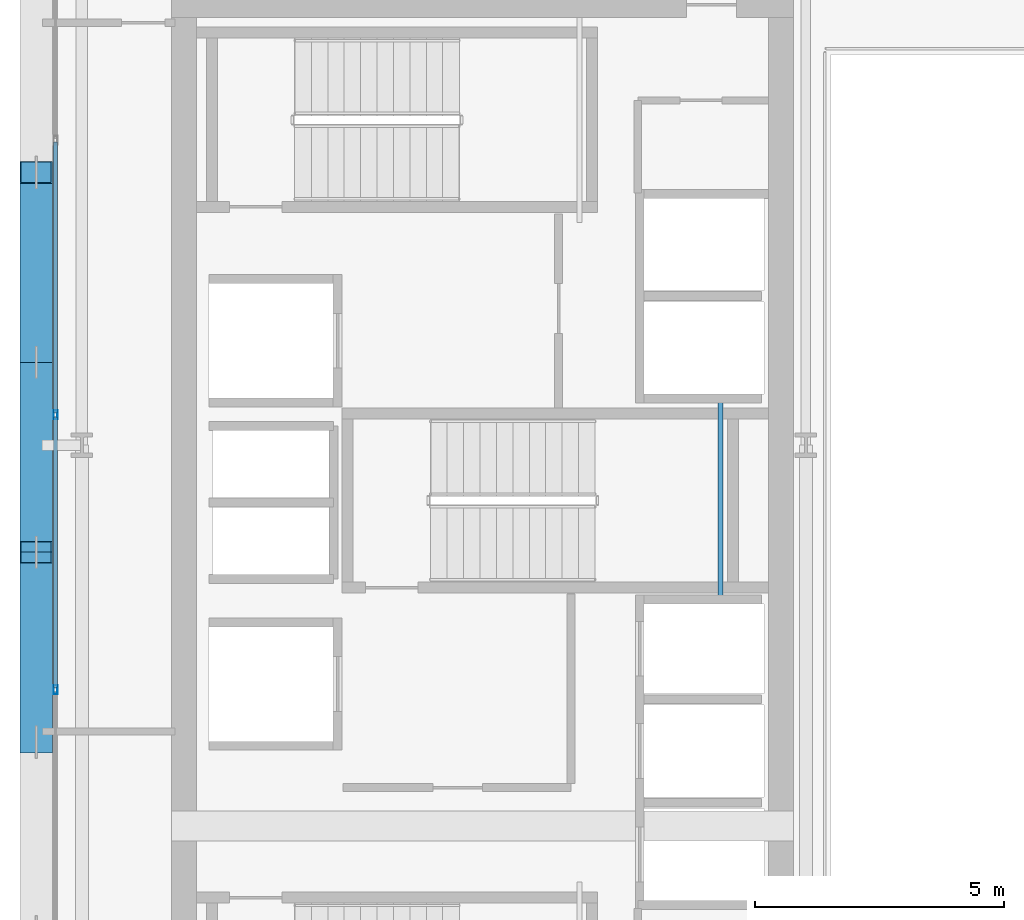
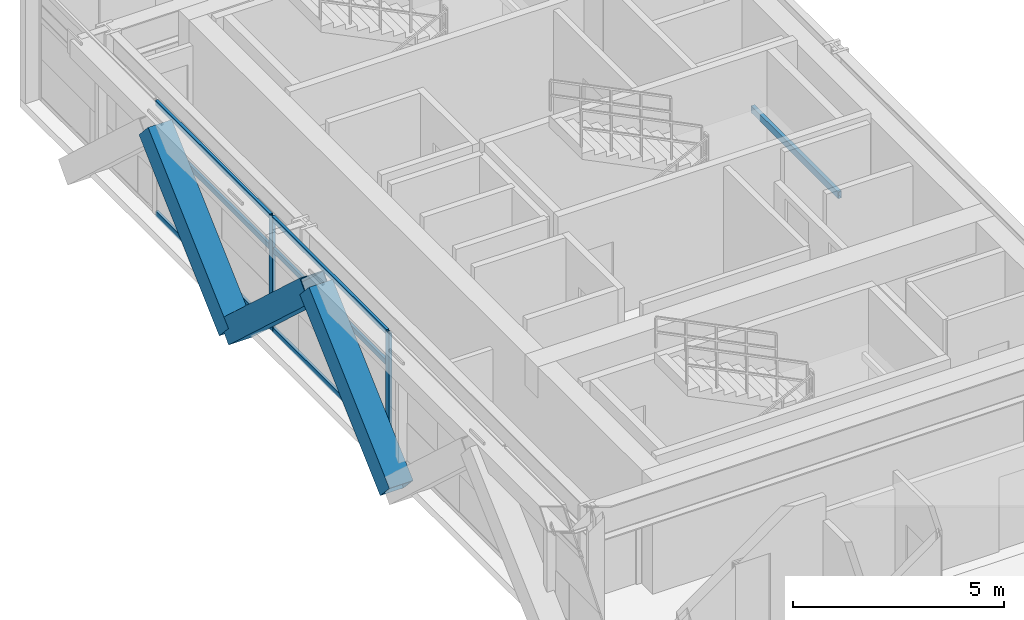
# One storey, part 7 of 32: 11 members, 1 beam, 1 element without a shape of its own.
"""IFC4 building model written with IfcOpenShell, lengths in metres."""

from ifc_helpers import new_model, si_unit, direction, frame, origin, origin_2d, place, context, subcontext, project, spatial, hollow_rectangle, extrude, source, transform, mapped, material, layer, layer_set, material_profile, profile_set, type_object, element, aggregate, save


model = new_model("IFC4")

# Units and contexts
model_context = context("Model", 3, precision=1e-05, world=origin(), true_north=direction((0.0, 1.0)))
body_context = subcontext(model_context, "Body", "Model", "MODEL_VIEW")
ifc_project = project(units=[si_unit("LENGTHUNIT", "METRE"), si_unit("AREAUNIT", "SQUARE_METRE"), si_unit("VOLUMEUNIT", "CUBIC_METRE"), si_unit("PLANEANGLEUNIT", "RADIAN"), si_unit("MASSUNIT", "GRAM", prefix="KILO")], contexts=[model_context])

# Site, building, storey
site_placement = place(None, origin())
site = spatial("IfcSite", under=ifc_project, at=site_placement, CompositionType="ELEMENT")
building_placement = place(site_placement, origin())
building = spatial("IfcBuilding", under=site, at=building_placement, Name="Ocotamira Hotel", CompositionType="ELEMENT")
storey_placement = place(building_placement, frame((0.0, 0.0, 217.199951171875)))
storey = spatial("IfcBuildingStorey", under=building, at=storey_placement, Name="L55", CompositionType="ELEMENT", Elevation=217.199951171875)

# Beam
ifc_material_1 = material(Name="Steel ASTM A500 Grade C", Category="steel")
ifc_material_profile_1 = material_profile(ifc_material_1, hollow_rectangle(XDim=0.10009765625, YDim=0.199951171875, WallThickness=0.008056640625, at=origin_2d()), Name="HSS200X100X8")
ifc_profile_set_1 = profile_set([ifc_material_profile_1], Name="Steel ASTM A500 Grade C")
beam_type = type_object("IfcBeamType", Name="BM-STLDG-HSS200", PredefinedType="BEAM", material=ifc_profile_set_1)
shared_shape_1 = source(origin(), body_context, "Body", "SweptSolid", [
    extrude(hollow_rectangle(XDim=0.10009765625, YDim=0.199951171875, WallThickness=0.008056640625, at=origin_2d()), origin(), (0.0, 0.0, 1.0), 4.1201171875),
])
beam_placement = place(storey_placement, frame((21.780029296875, 24.97998046875, 1.5), z_axis=(0.0, 1.0, 0.0), x_axis=(-1.0, 0.0, 0.0)))
element("IfcBeam", 1, at=beam_placement, inside=storey, type_object=beam_type, Name="L55 Stair ST-3 Landing Bearer 1", PredefinedType="BEAM", context=body_context, shape_type="MappedRepresentation", body=[
    mapped(shared_shape_1, transform((0.0, 0.0, 0.0), scale=1.0)),
])

# Members
ifc_material_2 = material(Name="Pale-metal coated steel ASTM A913 Grade 65", Category="steel")
ifc_material_profile_2 = material_profile(ifc_material_2, hollow_rectangle(XDim=0.64990234375, YDim=0.64990234375, WallThickness=0.02197265625, at=origin_2d()), Name="BOX650X650X22")
ifc_profile_set_2 = profile_set([ifc_material_profile_2], Name="Pale-metal coated steel ASTM A913 Grade 65")
member_type_1 = type_object("IfcMemberType", Name="MEM-EXO-BOX650", PredefinedType="BRACE", material=ifc_profile_set_2)
shared_shape_2 = source(origin(), body_context, "Body", "SweptSolid", [
    extrude(hollow_rectangle(XDim=0.64990234375, YDim=0.64990234375, WallThickness=0.02197265625, at=origin_2d()), origin(), (0.0, 0.0, 1.0), 5.185302734375),
])
for number, where, z_axis, x_axis, name in (
    (2, (8.030029296875, 22.183349609375, -0.47998046875), (0.0, 0.736056745537, 0.6769198382), (-1.0, 0.0, 0.0), "L55 Exoskeleton Diagrid W1.1"),
    (3, (8.030029296875, 29.816650390625, -0.47998046875), (0.0, -0.736056745537, 0.6769198382), (1.0, 0.0, 0.0), "L55 Exoskeleton Diagrid W1.2"),
    (4, (8.030029296875, 29.816650390625, -0.47998046875), (0.0, 0.736056745537, 0.6769198382), (-1.0, 0.0, 0.0), "L55 Exoskeleton Diagrid W2.1"),
):
    element("IfcMember", number, at=place(storey_placement, frame(where, z_axis=z_axis, x_axis=x_axis)), inside=storey, type_object=member_type_1, Name=name, PredefinedType="BRACE", context=body_context, shape_type="MappedRepresentation", body=[
        mapped(shared_shape_2, transform((0.0, 0.0, 0.0), scale=1.0)),
    ])

# Curtain wall, members
ifc_material_3 = material(Name="Anodised pale-metal aluminium and solar glass", Category="aluminium")
ifc_layer = layer(ifc_material_3, 0.199951171875)
ifc_layer_set = layer_set([ifc_layer], Name="Anodised pale-metal aluminium and solar glass")
curtain_wall_type = type_object("IfcCurtainWallType", Name="CW-SYS4-Z3", PredefinedType="NOTDEFINED", material=ifc_layer_set)
curtain_wall_placement = place(storey_placement, origin())
curtain_wall = element("IfcCurtainWall", 5, at=curtain_wall_placement, inside=storey, type_object=curtain_wall_type, Name="L55 Curtain Wall CW-4 CW-L55-W", PredefinedType="NOTDEFINED")
ifc_material_4 = material(Name="Anodised pale-metal aluminium 6063-T6", Category="aluminium")
ifc_material_profile_3 = material_profile(ifc_material_4, hollow_rectangle(XDim=0.074951171875, YDim=0.14990234375, WallThickness=0.006103515625, at=origin_2d()), Name="HSS150X75X6")
ifc_profile_set_3 = profile_set([ifc_material_profile_3], Name="Anodised pale-metal aluminium 6063-T6")
member_type_2 = type_object("IfcMemberType", Name="CWT-150X75", PredefinedType="USERDEFINED", material=ifc_profile_set_3)
shared_shape_3 = source(origin(), body_context, "Body", "SweptSolid", [
    extrude(hollow_rectangle(XDim=0.074951171875, YDim=0.14990234375, WallThickness=0.006103515625, at=origin_2d()), origin(), (0.0, 0.0, 1.0), 5.43994140625),
])
member_1_placement = place(storey_placement, frame((8.419921875, 23.280029296875, 0.03759765625), z_axis=(0.0, 1.0, 0.0), x_axis=(-1.0, 0.0, 0.0)))
member_1 = element("IfcMember", 6, at=member_1_placement, type_object=member_type_2, Name="CW-4 transom 3.1", ObjectType="TRANSOM", PredefinedType="USERDEFINED", context=body_context, shape_type="MappedRepresentation", body=[
    mapped(shared_shape_3, transform((0.0, 0.0, 0.0), scale=1.0)),
])
member_2_placement = place(storey_placement, frame((8.419921875, 23.280029296875, 2.35009765625), z_axis=(0.0, 1.0, 0.0), x_axis=(-1.0, 0.0, 0.0)))
member_2 = element("IfcMember", 7, at=member_2_placement, type_object=member_type_2, Name="CW-4 transom 3.2", ObjectType="TRANSOM", PredefinedType="USERDEFINED", context=body_context, shape_type="MappedRepresentation", body=[
    mapped(shared_shape_3, transform((0.0, 0.0, 0.0), scale=1.0)),
])
member_3_placement = place(storey_placement, frame((8.419921875, 23.280029296875, 3.242431640625), z_axis=(0.0, 1.0, 0.0), x_axis=(-1.0, 0.0, 0.0)))
member_3 = element("IfcMember", 8, at=member_3_placement, type_object=member_type_2, Name="CW-4 transom 3.3", ObjectType="TRANSOM", PredefinedType="USERDEFINED", context=body_context, shape_type="MappedRepresentation", body=[
    mapped(shared_shape_3, transform((0.0, 0.0, 0.0), scale=1.0)),
])
member_4_placement = place(storey_placement, frame((8.419921875, 28.800048828125, 0.03759765625), z_axis=(0.0, 1.0, 0.0), x_axis=(-1.0, 0.0, 0.0)))
member_4 = element("IfcMember", 9, at=member_4_placement, type_object=member_type_2, Name="CW-4 transom 4.1", ObjectType="TRANSOM", PredefinedType="USERDEFINED", context=body_context, shape_type="MappedRepresentation", body=[
    mapped(shared_shape_3, transform((0.0, 0.0, 0.0), scale=1.0)),
])
member_5_placement = place(storey_placement, frame((8.419921875, 28.800048828125, 2.35009765625), z_axis=(0.0, 1.0, 0.0), x_axis=(-1.0, 0.0, 0.0)))
member_5 = element("IfcMember", 10, at=member_5_placement, type_object=member_type_2, Name="CW-4 transom 4.2", ObjectType="TRANSOM", PredefinedType="USERDEFINED", context=body_context, shape_type="MappedRepresentation", body=[
    mapped(shared_shape_3, transform((0.0, 0.0, 0.0), scale=1.0)),
])
member_6_placement = place(storey_placement, frame((8.419921875, 28.800048828125, 3.242431640625), z_axis=(0.0, 1.0, 0.0), x_axis=(-1.0, 0.0, 0.0)))
member_6 = element("IfcMember", 11, at=member_6_placement, type_object=member_type_2, Name="CW-4 transom 4.3", ObjectType="TRANSOM", PredefinedType="USERDEFINED", context=body_context, shape_type="MappedRepresentation", body=[
    mapped(shared_shape_3, transform((0.0, 0.0, 0.0), scale=1.0)),
])
ifc_material_profile_4 = material_profile(ifc_material_4, hollow_rectangle(XDim=0.080078125, YDim=0.179931640625, WallThickness=0.006103515625, at=origin_2d()), Name="HSS180X80X6")
ifc_profile_set_4 = profile_set([ifc_material_profile_4], Name="Anodised pale-metal aluminium 6063-T6")
member_type_3 = type_object("IfcMemberType", Name="CWM-180X75", PredefinedType="MULLION", material=ifc_profile_set_4)
shared_shape_4 = source(origin(), body_context, "Body", "SweptSolid", [
    extrude(hollow_rectangle(XDim=0.080078125, YDim=0.179931640625, WallThickness=0.006103515625, at=origin_2d()), origin(), (0.0, 0.0, 1.0), 3.280029296875),
])
member_7_placement = place(storey_placement, frame((8.419921875, 23.239990234375, 0.0), z_axis=(0.0, 0.0, 1.0), x_axis=(-1.0, 0.0, 0.0)))
member_7 = element("IfcMember", 12, at=member_7_placement, type_object=member_type_3, Name="CW-4 mullion 3", PredefinedType="MULLION", context=body_context, shape_type="MappedRepresentation", body=[
    mapped(shared_shape_4, transform((0.0, 0.0, 0.0), scale=1.0)),
])
member_8_placement = place(storey_placement, frame((8.419921875, 28.760009765625, 0.0), z_axis=(0.0, 0.0, 1.0), x_axis=(-1.0, 0.0, 0.0)))
member_8 = element("IfcMember", 13, at=member_8_placement, type_object=member_type_3, Name="CW-4 mullion 4", PredefinedType="MULLION", context=body_context, shape_type="MappedRepresentation", body=[
    mapped(shared_shape_4, transform((0.0, 0.0, 0.0), scale=1.0)),
])
aggregate(curtain_wall, [member_7, member_8, member_1, member_2, member_3, member_4, member_5, member_6])

save(model, "model.ifc")
